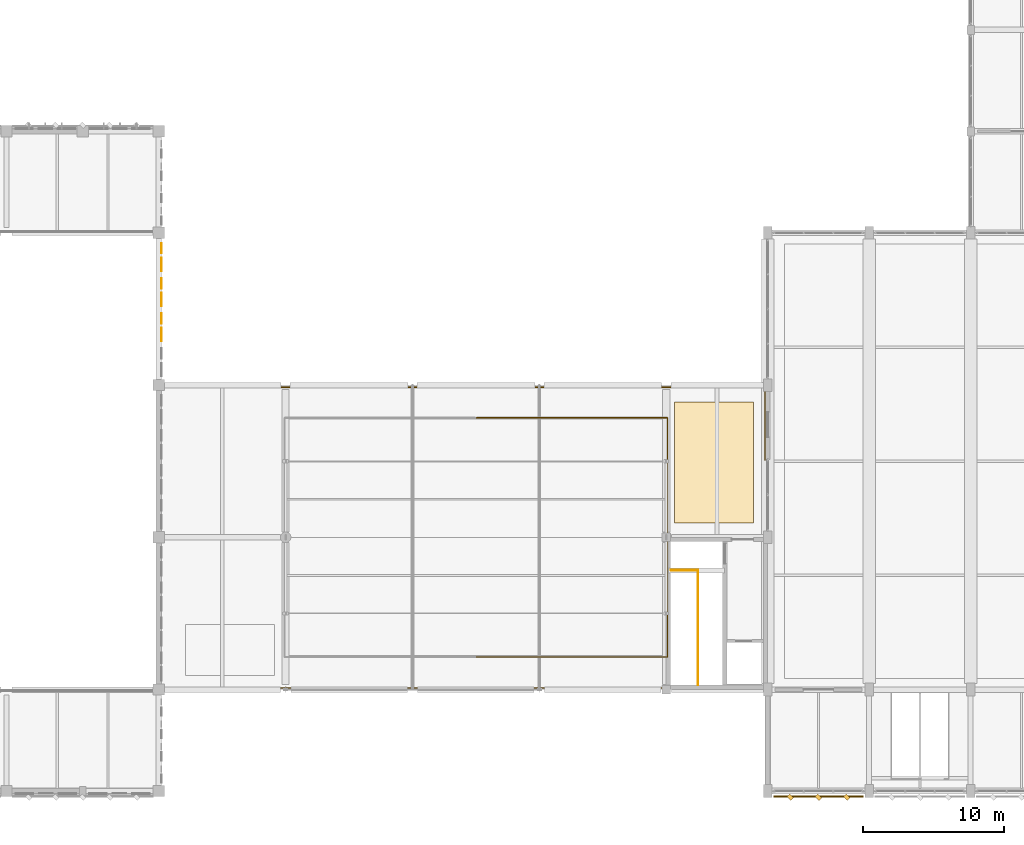
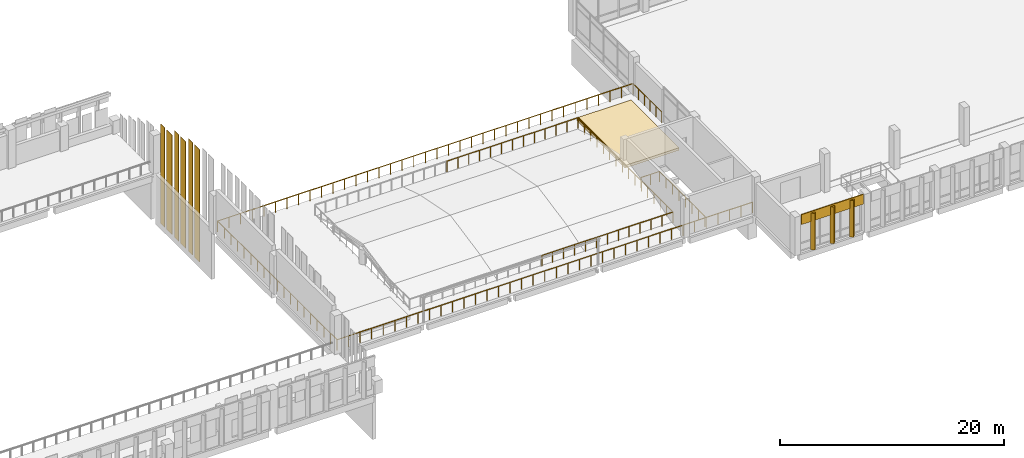
# One storey, part 146 of 158: 11 coverings, 3 railings.
"""IFC4 building model written with IfcOpenShell, lengths in metres."""

from ifc_helpers import new_model, si_unit, direction, frame, origin, origin_2d, place, context, subcontext, project, spatial, polyline, rectangle, circle, outline, extrude, material, layer, layer_set, type_object, element, save


model = new_model("IFC4")

# Units and contexts
model_context = context("Model", 3, precision=1e-05, world=origin(), true_north=direction((0.0, 1.0)))
body_context = subcontext(model_context, "Body", "Model", "MODEL_VIEW")
ifc_project = project(units=[si_unit("LENGTHUNIT", "METRE"), si_unit("AREAUNIT", "SQUARE_METRE"), si_unit("VOLUMEUNIT", "CUBIC_METRE"), si_unit("PLANEANGLEUNIT", "RADIAN"), si_unit("MASSUNIT", "GRAM", prefix="KILO")], contexts=[model_context])

# Site, building, storey
site_placement = place(None, origin())
site = spatial("IfcSite", under=ifc_project, at=site_placement, CompositionType="ELEMENT")
building_placement = place(site_placement, origin())
building = spatial("IfcBuilding", under=site, at=building_placement, Name="Lusvemor Sports Hall", CompositionType="ELEMENT")
storey_placement = place(building_placement, frame((0.0, 0.0, 10.800048828125)))
storey = spatial("IfcBuildingStorey", under=building, at=storey_placement, Name="L02", CompositionType="ELEMENT", Elevation=10.800048828125)

# Coverings
ifc_material_1 = material(Name="Emerald polychrome glazed ceramic cladding on Concrete C40/50 backing", Category="concrete")
ifc_layer_1 = layer(ifc_material_1, 0.0458984375)
ifc_layer_set_1 = layer_set([ifc_layer_1], Name="Emerald polychrome glazed ceramic cladding on Concrete C40/50 backing")
covering_type_1 = type_object("IfcCoveringType", Name="CLAD_WAVE_EMERALD", PredefinedType="CLADDING", material=ifc_layer_set_1)
covering_1_placement = place(storey_placement, frame((75.79052734375, 32.376220703125, -5.31982421875), z_axis=(0.0, 0.0, 1.0), x_axis=(1.0, 0.0, 0.0)))
element("IfcCovering", 1, at=covering_1_placement, inside=storey, type_object=covering_type_1, Name="Art Nouveau Patterned Cladding PS-V1ETY-4-1-1", PredefinedType="CLADDING", context=body_context, shape_type="SweptSolid", body=[
    extrude(rectangle(XDim=0.0458984375, YDim=0.953369140625, at=origin_2d()), origin(), (0.0, 0.0, 1.0), 12.247314453125),
])
covering_2_placement = place(storey_placement, frame((75.79052734375, 34.861083984375, -5.31982421875), z_axis=(0.0, 0.0, 1.0), x_axis=(1.0, 0.0, 0.0)))
element("IfcCovering", 2, at=covering_2_placement, inside=storey, type_object=covering_type_1, Name="Art Nouveau Patterned Cladding PS-V1ETY-4-2-1", PredefinedType="CLADDING", context=body_context, shape_type="SweptSolid", body=[
    extrude(rectangle(XDim=0.0458984375, YDim=0.953125, at=origin_2d()), origin(), (0.0, 0.0, 1.0), 11.616943359375),
])
covering_3_placement = place(storey_placement, frame((75.79052734375, 37.34619140625, -5.320068359375), z_axis=(0.0, 0.0, 1.0), x_axis=(1.0, 0.0, 0.0)))
element("IfcCovering", 3, at=covering_3_placement, inside=storey, type_object=covering_type_1, Name="Art Nouveau Patterned Cladding PS-V1ETY-4-3-1", PredefinedType="CLADDING", context=body_context, shape_type="SweptSolid", body=[
    extrude(rectangle(XDim=0.0458984375, YDim=0.953125, at=origin_2d()), origin(), (0.0, 0.0, 1.0), 10.841796875),
])
covering_4_placement = place(storey_placement, frame((122.39990234375, -0.43994140625, 0.099853515625), z_axis=(0.0, 0.0, 1.0), x_axis=(0.707106781187, 0.707106781187, 0.0)))
element("IfcCovering", 4, at=covering_4_placement, inside=storey, type_object=covering_type_1, Name="Patterned Diamond Cladding Rib 154", PredefinedType="CLADDING", context=body_context, shape_type="SweptSolid", body=[
    extrude(rectangle(XDim=0.280029296875, YDim=0.3798828125, at=origin_2d()), origin(), (0.0, 0.0, 1.0), 4.0),
])
ifc_material_2 = material(Name="Warm terracotta Art Nouveau ceramic cladding on Concrete C40/50 backing", Category="masonry")
ifc_layer_2 = layer(ifc_material_2, 0.0380859375)
ifc_layer_set_2 = layer_set([ifc_layer_2], Name="Warm terracotta Art Nouveau ceramic cladding on Concrete C40/50 backing")
covering_type_2 = type_object("IfcCoveringType", Name="CLAD_WAVE_OCHRE", PredefinedType="CLADDING", material=ifc_layer_set_2)
covering_5_placement = place(storey_placement, frame((75.78662109375, 33.538818359375, -5.31982421875), z_axis=(0.0, 0.0, 1.0), x_axis=(1.0, 0.0, 0.0)))
element("IfcCovering", 5, at=covering_5_placement, inside=storey, type_object=covering_type_2, Name="Art Nouveau Patterned Cladding PS-V1ETY-4-1-2", PredefinedType="CLADDING", context=body_context, shape_type="SweptSolid", body=[
    extrude(rectangle(XDim=0.0380859375, YDim=0.743896484375, at=origin_2d()), origin(), (0.0, 0.0, 1.0), 12.247314453125),
])
covering_6_placement = place(storey_placement, frame((75.78662109375, 36.023681640625, -5.31982421875), z_axis=(0.0, 0.0, 1.0), x_axis=(1.0, 0.0, 0.0)))
element("IfcCovering", 6, at=covering_6_placement, inside=storey, type_object=covering_type_2, Name="Art Nouveau Patterned Cladding PS-V1ETY-4-2-2", PredefinedType="CLADDING", context=body_context, shape_type="SweptSolid", body=[
    extrude(rectangle(XDim=0.0380859375, YDim=0.743896484375, at=origin_2d()), origin(), (0.0, 0.0, 1.0), 11.616943359375),
])
covering_7_placement = place(storey_placement, frame((75.78662109375, 38.5087890625, -5.320068359375), z_axis=(0.0, 0.0, 1.0), x_axis=(1.0, 0.0, 0.0)))
element("IfcCovering", 7, at=covering_7_placement, inside=storey, type_object=covering_type_2, Name="Art Nouveau Patterned Cladding PS-V1ETY-4-3-2", PredefinedType="CLADDING", context=body_context, shape_type="SweptSolid", body=[
    extrude(rectangle(XDim=0.0380859375, YDim=0.743896484375, at=origin_2d()), origin(), (0.0, 0.0, 1.0), 10.841796875),
])
covering_8_placement = place(storey_placement, frame((122.39990234375, -0.389892578125, 3.179931640625), z_axis=(0.0, 0.0, 1.0), x_axis=(1.0, 0.0, 0.0)))
element("IfcCovering", 8, at=covering_8_placement, inside=storey, type_object=covering_type_2, Name="Art Nouveau Spandrel Cornice 152", PredefinedType="CLADDING", context=body_context, shape_type="SweptSolid", body=[
    extrude(rectangle(XDim=6.3798828125, YDim=0.090087890625, at=origin_2d()), origin(), (0.0, 0.0, 1.0), 1.080078125),
])
ifc_material_3 = material(Name="Planted coastal botanical green roof garden bed")
ifc_layer_3 = layer(ifc_material_3, 0.280029296875)
ifc_layer_set_3 = layer_set([ifc_layer_3], Name="Planted coastal botanical green roof garden bed")
covering_type_3 = type_object("IfcCoveringType", Name="COV_GARDEN_BED", PredefinedType="ROOFING", material=ifc_layer_set_3)
covering_9_placement = place(storey_placement, origin())
element("IfcCovering", 9, at=covering_9_placement, inside=storey, type_object=covering_type_3, Name="Planted Coastal Roof Garden Bed 2", PredefinedType="ROOFING", context=body_context, shape_type="SweptSolid", body=[
    extrude(outline(polyline([(112.199951171875, 19.0), (117.800048828125, 19.0), (117.800048828125, 27.60009765625), (112.199951171875, 27.60009765625), (112.199951171875, 19.0)])), origin(), (0.0, 0.0, 1.0), 0.280029296875),
])
ifc_material_4 = material(Name="Warm terracotta Art Nouveau ceramic cladding on Concrete C40/50 backing", Category="masonry")
ifc_layer_4 = layer(ifc_material_4, 0.449951171875)
ifc_layer_set_4 = layer_set([ifc_layer_4], Name="Warm terracotta Art Nouveau ceramic cladding on Concrete C40/50 backing")
covering_type_4 = type_object("IfcCoveringType", Name="FIN_BRISE_CER_450", PredefinedType="MOLDING", material=ifc_layer_set_4)
for number, where, z_axis, x_axis, name in (
    (10, (120.39990234375, -0.43994140625, 0.099853515625), (0.0, 0.0, 1.0), (0.707106781187, 0.707106781187, 0.0), "Patterned Diamond Cladding Rib 153"),
    (11, (124.39990234375, -0.43994140625, 0.099853515625), (0.0, 0.0, 1.0), (0.707106781187, 0.707106781187, 0.0), "Patterned Diamond Cladding Rib 155"),
):
    element("IfcCovering", number, at=place(storey_placement, frame(where, z_axis=z_axis, x_axis=x_axis)), inside=storey, type_object=covering_type_4, Name=name, PredefinedType="MOLDING", context=body_context, shape_type="SweptSolid", body=[
        extrude(rectangle(XDim=0.280029296875, YDim=0.3798828125, at=origin_2d()), origin(), (0.0, 0.0, 1.0), 4.0),
    ])

# Railings
ifc_material_5 = material(Name="Bronze-finished wrought-steel Art Nouveau balustrade", Category="steel")
railing_type_1 = type_object("IfcRailingType", Name="RAIL_STAIR_GUARD_112", PredefinedType="GUARDRAIL", material=ifc_material_5)
railing_1_placement = place(storey_placement, frame((111.93994140625, 15.669921875, 0.0)))
element("IfcRailing", 12, at=railing_1_placement, inside=storey, type_object=railing_type_1, Name="Stairwell C7 Top Guard (L02)", PredefinedType="GUARDRAIL", context=body_context, shape_type="SweptSolid", body=[
    extrude(circle(Radius=0.02392578125, at=origin_2d()), frame((0.0, 0.0, 1.09619140625), z_axis=(1.0, 0.0, 0.0), x_axis=(0.0, 1.0, 0.0)), (0.0, 0.0, 1.0), 1.920166015625),
    extrude(circle(Radius=0.02392578125, at=origin_2d()), frame((1.920166015625, 0.0, 1.09619140625), z_axis=(0.0, -1.0, 0.0), x_axis=(1.0, 0.0, 0.0)), (0.0, 0.0, 1.0), 8.1298828125),
    extrude(circle(Radius=0.02099609375, at=origin_2d()), origin(), (0.0, 0.0, 1.0), 1.072021484375),
    extrude(circle(Radius=0.02099609375, at=origin_2d()), frame((0.9599609375, 0.0, 0.0)), (0.0, 0.0, 1.0), 1.072021484375),
    extrude(circle(Radius=0.02099609375, at=origin_2d()), frame((1.920166015625, 0.0, 0.0)), (0.0, 0.0, 1.0), 1.072021484375),
    extrude(circle(Radius=0.02099609375, at=origin_2d()), frame((1.920166015625, -1.161376953125, 0.0)), (0.0, 0.0, 1.0), 1.072021484375),
    extrude(circle(Radius=0.02099609375, at=origin_2d()), frame((1.920166015625, -2.32275390625, 0.0)), (0.0, 0.0, 1.0), 1.072021484375),
    extrude(circle(Radius=0.02099609375, at=origin_2d()), frame((1.920166015625, -3.484130859375, 0.0)), (0.0, 0.0, 1.0), 1.072021484375),
    extrude(circle(Radius=0.02099609375, at=origin_2d()), frame((1.920166015625, -4.645751953125, 0.0)), (0.0, 0.0, 1.0), 1.072021484375),
    extrude(circle(Radius=0.02099609375, at=origin_2d()), frame((1.920166015625, -5.80712890625, 0.0)), (0.0, 0.0, 1.0), 1.072021484375),
    extrude(circle(Radius=0.02099609375, at=origin_2d()), frame((1.920166015625, -6.968505859375, 0.0)), (0.0, 0.0, 1.0), 1.072021484375),
    extrude(circle(Radius=0.02099609375, at=origin_2d()), frame((1.920166015625, -8.1298828125, 0.0)), (0.0, 0.0, 1.0), 1.072021484375),
])
ifc_material_6 = material(Name="Bronze-finished wrought-steel Art Nouveau balustrade", Category="steel")
railing_type_2 = type_object("IfcRailingType", Name="RAIL_TERR_GUARD_118", PredefinedType="GUARDRAIL", material=ifc_material_6)
railing_2_placement = place(storey_placement, frame((118.60009765625, 7.300048828125, 0.0)))
element("IfcRailing", 13, at=railing_2_placement, inside=storey, type_object=railing_type_2, Name="Foyer Planted Roof Terrace Guard", PredefinedType="GUARDRAIL", context=body_context, shape_type="SweptSolid", body=[
    extrude(circle(Radius=0.02392578125, at=origin_2d()), frame((0.0, 0.0, 1.15576171875), z_axis=(-1.0, 0.0, 0.0), x_axis=(0.0, -1.0, 0.0)), (0.0, 0.0, 1.0), 42.85009765625),
    extrude(circle(Radius=0.02392578125, at=origin_2d()), frame((-42.85009765625, 0.0, 1.15576171875), z_axis=(0.0, 1.0, 0.0), x_axis=(-1.0, 0.0, 0.0)), (0.0, 0.0, 1.0), 21.349853515625),
    extrude(circle(Radius=0.02392578125, at=origin_2d()), frame((-42.85009765625, 21.349853515625, 1.15576171875), z_axis=(1.0, 0.0, 0.0), x_axis=(0.0, 1.0, 0.0)), (0.0, 0.0, 1.0), 42.85009765625),
    extrude(circle(Radius=0.02392578125, at=origin_2d()), frame((0.0, 21.349853515625, 1.15576171875), z_axis=(0.0, -1.0, 0.0), x_axis=(1.0, 0.0, 0.0)), (0.0, 0.0, 1.0), 5.14990234375),
    extrude(circle(Radius=0.02099609375, at=origin_2d()), origin(), (0.0, 0.0, 1.0), 1.1318359375),
    extrude(circle(Radius=0.02099609375, at=origin_2d()), frame((-1.190185546875, 0.0, 0.0)), (0.0, 0.0, 1.0), 1.1318359375),
    extrude(circle(Radius=0.02099609375, at=origin_2d()), frame((-2.380615234375, 0.0, 0.0)), (0.0, 0.0, 1.0), 1.1318359375),
    extrude(circle(Radius=0.02099609375, at=origin_2d()), frame((-3.57080078125, 0.0, 0.0)), (0.0, 0.0, 1.0), 1.1318359375),
    extrude(circle(Radius=0.02099609375, at=origin_2d()), frame((-4.76123046875, 0.0, 0.0)), (0.0, 0.0, 1.0), 1.1318359375),
    extrude(circle(Radius=0.02099609375, at=origin_2d()), frame((-5.951416015625, 0.0, 0.0)), (0.0, 0.0, 1.0), 1.1318359375),
    extrude(circle(Radius=0.02099609375, at=origin_2d()), frame((-7.1416015625, 0.0, 0.0)), (0.0, 0.0, 1.0), 1.1318359375),
    extrude(circle(Radius=0.02099609375, at=origin_2d()), frame((-8.33203125, 0.0, 0.0)), (0.0, 0.0, 1.0), 1.1318359375),
    extrude(circle(Radius=0.02099609375, at=origin_2d()), frame((-9.522216796875, 0.0, 0.0)), (0.0, 0.0, 1.0), 1.1318359375),
    extrude(circle(Radius=0.02099609375, at=origin_2d()), frame((-10.71240234375, 0.0, 0.0)), (0.0, 0.0, 1.0), 1.1318359375),
    extrude(circle(Radius=0.02099609375, at=origin_2d()), frame((-11.90283203125, 0.0, 0.0)), (0.0, 0.0, 1.0), 1.1318359375),
    extrude(circle(Radius=0.02099609375, at=origin_2d()), frame((-13.093017578125, 0.0, 0.0)), (0.0, 0.0, 1.0), 1.1318359375),
    extrude(circle(Radius=0.02099609375, at=origin_2d()), frame((-14.283447265625, 0.0, 0.0)), (0.0, 0.0, 1.0), 1.1318359375),
    extrude(circle(Radius=0.02099609375, at=origin_2d()), frame((-15.4736328125, 0.0, 0.0)), (0.0, 0.0, 1.0), 1.1318359375),
    extrude(circle(Radius=0.02099609375, at=origin_2d()), frame((-16.663818359375, 0.0, 0.0)), (0.0, 0.0, 1.0), 1.1318359375),
    extrude(circle(Radius=0.02099609375, at=origin_2d()), frame((-17.854248046875, 0.0, 0.0)), (0.0, 0.0, 1.0), 1.1318359375),
    extrude(circle(Radius=0.02099609375, at=origin_2d()), frame((-19.04443359375, 0.0, 0.0)), (0.0, 0.0, 1.0), 1.1318359375),
    extrude(circle(Radius=0.02099609375, at=origin_2d()), frame((-20.23486328125, 0.0, 0.0)), (0.0, 0.0, 1.0), 1.1318359375),
    extrude(circle(Radius=0.02099609375, at=origin_2d()), frame((-21.425048828125, 0.0, 0.0)), (0.0, 0.0, 1.0), 1.1318359375),
    extrude(circle(Radius=0.02099609375, at=origin_2d()), frame((-22.615234375, 0.0, 0.0)), (0.0, 0.0, 1.0), 1.1318359375),
    extrude(circle(Radius=0.02099609375, at=origin_2d()), frame((-23.8056640625, 0.0, 0.0)), (0.0, 0.0, 1.0), 1.1318359375),
    extrude(circle(Radius=0.02099609375, at=origin_2d()), frame((-24.995849609375, 0.0, 0.0)), (0.0, 0.0, 1.0), 1.1318359375),
    extrude(circle(Radius=0.02099609375, at=origin_2d()), frame((-26.186279296875, 0.0, 0.0)), (0.0, 0.0, 1.0), 1.1318359375),
    extrude(circle(Radius=0.02099609375, at=origin_2d()), frame((-27.37646484375, 0.0, 0.0)), (0.0, 0.0, 1.0), 1.1318359375),
    extrude(circle(Radius=0.02099609375, at=origin_2d()), frame((-28.566650390625, 0.0, 0.0)), (0.0, 0.0, 1.0), 1.1318359375),
    extrude(circle(Radius=0.02099609375, at=origin_2d()), frame((-29.757080078125, 0.0, 0.0)), (0.0, 0.0, 1.0), 1.1318359375),
    extrude(circle(Radius=0.02099609375, at=origin_2d()), frame((-30.947265625, 0.0, 0.0)), (0.0, 0.0, 1.0), 1.1318359375),
    extrude(circle(Radius=0.02099609375, at=origin_2d()), frame((-32.1376953125, 0.0, 0.0)), (0.0, 0.0, 1.0), 1.1318359375),
    extrude(circle(Radius=0.02099609375, at=origin_2d()), frame((-33.327880859375, 0.0, 0.0)), (0.0, 0.0, 1.0), 1.1318359375),
    extrude(circle(Radius=0.02099609375, at=origin_2d()), frame((-34.51806640625, 0.0, 0.0)), (0.0, 0.0, 1.0), 1.1318359375),
    extrude(circle(Radius=0.02099609375, at=origin_2d()), frame((-35.70849609375, 0.0, 0.0)), (0.0, 0.0, 1.0), 1.1318359375),
    extrude(circle(Radius=0.02099609375, at=origin_2d()), frame((-36.898681640625, 0.0, 0.0)), (0.0, 0.0, 1.0), 1.1318359375),
    extrude(circle(Radius=0.02099609375, at=origin_2d()), frame((-38.0888671875, 0.0, 0.0)), (0.0, 0.0, 1.0), 1.1318359375),
    extrude(circle(Radius=0.02099609375, at=origin_2d()), frame((-39.279296875, 0.0, 0.0)), (0.0, 0.0, 1.0), 1.1318359375),
    extrude(circle(Radius=0.02099609375, at=origin_2d()), frame((-40.469482421875, 0.0, 0.0)), (0.0, 0.0, 1.0), 1.1318359375),
    extrude(circle(Radius=0.02099609375, at=origin_2d()), frame((-41.659912109375, 0.0, 0.0)), (0.0, 0.0, 1.0), 1.1318359375),
    extrude(circle(Radius=0.02099609375, at=origin_2d()), frame((-42.85009765625, 0.0, 0.0)), (0.0, 0.0, 1.0), 1.1318359375),
    extrude(circle(Radius=0.02099609375, at=origin_2d()), frame((-42.85009765625, 1.18603515625, 0.0)), (0.0, 0.0, 1.0), 1.1318359375),
    extrude(circle(Radius=0.02099609375, at=origin_2d()), frame((-42.85009765625, 2.372314453125, 0.0)), (0.0, 0.0, 1.0), 1.1318359375),
    extrude(circle(Radius=0.02099609375, at=origin_2d()), frame((-42.85009765625, 3.558349609375, 0.0)), (0.0, 0.0, 1.0), 1.1318359375),
    extrude(circle(Radius=0.02099609375, at=origin_2d()), frame((-42.85009765625, 4.744384765625, 0.0)), (0.0, 0.0, 1.0), 1.1318359375),
    extrude(circle(Radius=0.02099609375, at=origin_2d()), frame((-42.85009765625, 5.930419921875, 0.0)), (0.0, 0.0, 1.0), 1.1318359375),
    extrude(circle(Radius=0.02099609375, at=origin_2d()), frame((-42.85009765625, 7.11669921875, 0.0)), (0.0, 0.0, 1.0), 1.1318359375),
    extrude(circle(Radius=0.02099609375, at=origin_2d()), frame((-42.85009765625, 8.302734375, 0.0)), (0.0, 0.0, 1.0), 1.1318359375),
    extrude(circle(Radius=0.02099609375, at=origin_2d()), frame((-42.85009765625, 9.48876953125, 0.0)), (0.0, 0.0, 1.0), 1.1318359375),
    extrude(circle(Radius=0.02099609375, at=origin_2d()), frame((-42.85009765625, 10.6748046875, 0.0)), (0.0, 0.0, 1.0), 1.1318359375),
    extrude(circle(Radius=0.02099609375, at=origin_2d()), frame((-42.85009765625, 11.861083984375, 0.0)), (0.0, 0.0, 1.0), 1.1318359375),
    extrude(circle(Radius=0.02099609375, at=origin_2d()), frame((-42.85009765625, 13.047119140625, 0.0)), (0.0, 0.0, 1.0), 1.1318359375),
    extrude(circle(Radius=0.02099609375, at=origin_2d()), frame((-42.85009765625, 14.233154296875, 0.0)), (0.0, 0.0, 1.0), 1.1318359375),
    extrude(circle(Radius=0.02099609375, at=origin_2d()), frame((-42.85009765625, 15.41943359375, 0.0)), (0.0, 0.0, 1.0), 1.1318359375),
    extrude(circle(Radius=0.02099609375, at=origin_2d()), frame((-42.85009765625, 16.60546875, 0.0)), (0.0, 0.0, 1.0), 1.1318359375),
    extrude(circle(Radius=0.02099609375, at=origin_2d()), frame((-42.85009765625, 17.79150390625, 0.0)), (0.0, 0.0, 1.0), 1.1318359375),
    extrude(circle(Radius=0.02099609375, at=origin_2d()), frame((-42.85009765625, 18.9775390625, 0.0)), (0.0, 0.0, 1.0), 1.1318359375),
    extrude(circle(Radius=0.02099609375, at=origin_2d()), frame((-42.85009765625, 20.163818359375, 0.0)), (0.0, 0.0, 1.0), 1.1318359375),
    extrude(circle(Radius=0.02099609375, at=origin_2d()), frame((-42.85009765625, 21.349853515625, 0.0)), (0.0, 0.0, 1.0), 1.1318359375),
    extrude(circle(Radius=0.02099609375, at=origin_2d()), frame((-41.659912109375, 21.349853515625, 0.0)), (0.0, 0.0, 1.0), 1.1318359375),
    extrude(circle(Radius=0.02099609375, at=origin_2d()), frame((-40.469482421875, 21.349853515625, 0.0)), (0.0, 0.0, 1.0), 1.1318359375),
    extrude(circle(Radius=0.02099609375, at=origin_2d()), frame((-39.279296875, 21.349853515625, 0.0)), (0.0, 0.0, 1.0), 1.1318359375),
    extrude(circle(Radius=0.02099609375, at=origin_2d()), frame((-38.0888671875, 21.349853515625, 0.0)), (0.0, 0.0, 1.0), 1.1318359375),
    extrude(circle(Radius=0.02099609375, at=origin_2d()), frame((-36.898681640625, 21.349853515625, 0.0)), (0.0, 0.0, 1.0), 1.1318359375),
    extrude(circle(Radius=0.02099609375, at=origin_2d()), frame((-35.70849609375, 21.349853515625, 0.0)), (0.0, 0.0, 1.0), 1.1318359375),
    extrude(circle(Radius=0.02099609375, at=origin_2d()), frame((-34.51806640625, 21.349853515625, 0.0)), (0.0, 0.0, 1.0), 1.1318359375),
    extrude(circle(Radius=0.02099609375, at=origin_2d()), frame((-33.327880859375, 21.349853515625, 0.0)), (0.0, 0.0, 1.0), 1.1318359375),
    extrude(circle(Radius=0.02099609375, at=origin_2d()), frame((-32.1376953125, 21.349853515625, 0.0)), (0.0, 0.0, 1.0), 1.1318359375),
    extrude(circle(Radius=0.02099609375, at=origin_2d()), frame((-30.947265625, 21.349853515625, 0.0)), (0.0, 0.0, 1.0), 1.1318359375),
    extrude(circle(Radius=0.02099609375, at=origin_2d()), frame((-29.757080078125, 21.349853515625, 0.0)), (0.0, 0.0, 1.0), 1.1318359375),
    extrude(circle(Radius=0.02099609375, at=origin_2d()), frame((-28.566650390625, 21.349853515625, 0.0)), (0.0, 0.0, 1.0), 1.1318359375),
    extrude(circle(Radius=0.02099609375, at=origin_2d()), frame((-27.37646484375, 21.349853515625, 0.0)), (0.0, 0.0, 1.0), 1.1318359375),
    extrude(circle(Radius=0.02099609375, at=origin_2d()), frame((-26.186279296875, 21.349853515625, 0.0)), (0.0, 0.0, 1.0), 1.1318359375),
    extrude(circle(Radius=0.02099609375, at=origin_2d()), frame((-24.995849609375, 21.349853515625, 0.0)), (0.0, 0.0, 1.0), 1.1318359375),
    extrude(circle(Radius=0.02099609375, at=origin_2d()), frame((-23.8056640625, 21.349853515625, 0.0)), (0.0, 0.0, 1.0), 1.1318359375),
    extrude(circle(Radius=0.02099609375, at=origin_2d()), frame((-22.615234375, 21.349853515625, 0.0)), (0.0, 0.0, 1.0), 1.1318359375),
    extrude(circle(Radius=0.02099609375, at=origin_2d()), frame((-21.425048828125, 21.349853515625, 0.0)), (0.0, 0.0, 1.0), 1.1318359375),
    extrude(circle(Radius=0.02099609375, at=origin_2d()), frame((-20.23486328125, 21.349853515625, 0.0)), (0.0, 0.0, 1.0), 1.1318359375),
    extrude(circle(Radius=0.02099609375, at=origin_2d()), frame((-19.04443359375, 21.349853515625, 0.0)), (0.0, 0.0, 1.0), 1.1318359375),
    extrude(circle(Radius=0.02099609375, at=origin_2d()), frame((-17.854248046875, 21.349853515625, 0.0)), (0.0, 0.0, 1.0), 1.1318359375),
    extrude(circle(Radius=0.02099609375, at=origin_2d()), frame((-16.663818359375, 21.349853515625, 0.0)), (0.0, 0.0, 1.0), 1.1318359375),
    extrude(circle(Radius=0.02099609375, at=origin_2d()), frame((-15.4736328125, 21.349853515625, 0.0)), (0.0, 0.0, 1.0), 1.1318359375),
    extrude(circle(Radius=0.02099609375, at=origin_2d()), frame((-14.283447265625, 21.349853515625, 0.0)), (0.0, 0.0, 1.0), 1.1318359375),
    extrude(circle(Radius=0.02099609375, at=origin_2d()), frame((-13.093017578125, 21.349853515625, 0.0)), (0.0, 0.0, 1.0), 1.1318359375),
    extrude(circle(Radius=0.02099609375, at=origin_2d()), frame((-11.90283203125, 21.349853515625, 0.0)), (0.0, 0.0, 1.0), 1.1318359375),
    extrude(circle(Radius=0.02099609375, at=origin_2d()), frame((-10.71240234375, 21.349853515625, 0.0)), (0.0, 0.0, 1.0), 1.1318359375),
    extrude(circle(Radius=0.02099609375, at=origin_2d()), frame((-9.522216796875, 21.349853515625, 0.0)), (0.0, 0.0, 1.0), 1.1318359375),
    extrude(circle(Radius=0.02099609375, at=origin_2d()), frame((-8.33203125, 21.349853515625, 0.0)), (0.0, 0.0, 1.0), 1.1318359375),
    extrude(circle(Radius=0.02099609375, at=origin_2d()), frame((-7.1416015625, 21.349853515625, 0.0)), (0.0, 0.0, 1.0), 1.1318359375),
    extrude(circle(Radius=0.02099609375, at=origin_2d()), frame((-5.951416015625, 21.349853515625, 0.0)), (0.0, 0.0, 1.0), 1.1318359375),
    extrude(circle(Radius=0.02099609375, at=origin_2d()), frame((-4.76123046875, 21.349853515625, 0.0)), (0.0, 0.0, 1.0), 1.1318359375),
    extrude(circle(Radius=0.02099609375, at=origin_2d()), frame((-3.57080078125, 21.349853515625, 0.0)), (0.0, 0.0, 1.0), 1.1318359375),
    extrude(circle(Radius=0.02099609375, at=origin_2d()), frame((-2.380615234375, 21.349853515625, 0.0)), (0.0, 0.0, 1.0), 1.1318359375),
    extrude(circle(Radius=0.02099609375, at=origin_2d()), frame((-1.190185546875, 21.349853515625, 0.0)), (0.0, 0.0, 1.0), 1.1318359375),
    extrude(circle(Radius=0.02099609375, at=origin_2d()), frame((0.0, 21.349853515625, 0.0)), (0.0, 0.0, 1.0), 1.1318359375),
    extrude(circle(Radius=0.02099609375, at=origin_2d()), frame((0.0, 20.31982421875, 0.0)), (0.0, 0.0, 1.0), 1.1318359375),
    extrude(circle(Radius=0.02099609375, at=origin_2d()), frame((0.0, 19.289794921875, 0.0)), (0.0, 0.0, 1.0), 1.1318359375),
    extrude(circle(Radius=0.02099609375, at=origin_2d()), frame((0.0, 18.260009765625, 0.0)), (0.0, 0.0, 1.0), 1.1318359375),
    extrude(circle(Radius=0.02099609375, at=origin_2d()), frame((0.0, 17.22998046875, 0.0)), (0.0, 0.0, 1.0), 1.1318359375),
    extrude(circle(Radius=0.02099609375, at=origin_2d()), frame((0.0, 16.199951171875, 0.0)), (0.0, 0.0, 1.0), 1.1318359375),
])
railing_3_placement = place(storey_placement, frame((98.14990234375, 9.52001953125, 0.0)))
element("IfcRailing", 14, at=railing_3_placement, inside=storey, type_object=railing_type_2, Name="Foyer Lantern Opening Guard East", PredefinedType="GUARDRAIL", context=body_context, shape_type="SweptSolid", body=[
    extrude(circle(Radius=0.02392578125, at=origin_2d()), frame((0.0, 0.0, 1.15576171875), z_axis=(1.0, 0.0, 0.0), x_axis=(0.0, 1.0, 0.0)), (0.0, 0.0, 1.0), 13.530029296875),
    extrude(circle(Radius=0.02392578125, at=origin_2d()), frame((13.530029296875, 0.0, 1.15576171875), z_axis=(0.0, 1.0, 0.0), x_axis=(-1.0, 0.0, 0.0)), (0.0, 0.0, 1.0), 16.9599609375),
    extrude(circle(Radius=0.02392578125, at=origin_2d()), frame((13.530029296875, 16.9599609375, 1.15576171875), z_axis=(-1.0, 0.0, 0.0), x_axis=(0.0, -1.0, 0.0)), (0.0, 0.0, 1.0), 13.530029296875),
    extrude(circle(Radius=0.02099609375, at=origin_2d()), origin(), (0.0, 0.0, 1.0), 1.1318359375),
    extrude(circle(Radius=0.02099609375, at=origin_2d()), frame((1.12744140625, 0.0, 0.0)), (0.0, 0.0, 1.0), 1.1318359375),
    extrude(circle(Radius=0.02099609375, at=origin_2d()), frame((2.2548828125, 0.0, 0.0)), (0.0, 0.0, 1.0), 1.1318359375),
    extrude(circle(Radius=0.02099609375, at=origin_2d()), frame((3.382568359375, 0.0, 0.0)), (0.0, 0.0, 1.0), 1.1318359375),
    extrude(circle(Radius=0.02099609375, at=origin_2d()), frame((4.510009765625, 0.0, 0.0)), (0.0, 0.0, 1.0), 1.1318359375),
    extrude(circle(Radius=0.02099609375, at=origin_2d()), frame((5.637451171875, 0.0, 0.0)), (0.0, 0.0, 1.0), 1.1318359375),
    extrude(circle(Radius=0.02099609375, at=origin_2d()), frame((6.76513671875, 0.0, 0.0)), (0.0, 0.0, 1.0), 1.1318359375),
    extrude(circle(Radius=0.02099609375, at=origin_2d()), frame((7.892578125, 0.0, 0.0)), (0.0, 0.0, 1.0), 1.1318359375),
    extrude(circle(Radius=0.02099609375, at=origin_2d()), frame((9.02001953125, 0.0, 0.0)), (0.0, 0.0, 1.0), 1.1318359375),
    extrude(circle(Radius=0.02099609375, at=origin_2d()), frame((10.1474609375, 0.0, 0.0)), (0.0, 0.0, 1.0), 1.1318359375),
    extrude(circle(Radius=0.02099609375, at=origin_2d()), frame((11.27490234375, 0.0, 0.0)), (0.0, 0.0, 1.0), 1.1318359375),
    extrude(circle(Radius=0.02099609375, at=origin_2d()), frame((12.402587890625, 0.0, 0.0)), (0.0, 0.0, 1.0), 1.1318359375),
    extrude(circle(Radius=0.02099609375, at=origin_2d()), frame((13.530029296875, 0.0, 0.0)), (0.0, 0.0, 1.0), 1.1318359375),
    extrude(circle(Radius=0.02099609375, at=origin_2d()), frame((13.530029296875, 1.130615234375, 0.0)), (0.0, 0.0, 1.0), 1.1318359375),
    extrude(circle(Radius=0.02099609375, at=origin_2d()), frame((13.530029296875, 2.26123046875, 0.0)), (0.0, 0.0, 1.0), 1.1318359375),
    extrude(circle(Radius=0.02099609375, at=origin_2d()), frame((13.530029296875, 3.39208984375, 0.0)), (0.0, 0.0, 1.0), 1.1318359375),
    extrude(circle(Radius=0.02099609375, at=origin_2d()), frame((13.530029296875, 4.522705078125, 0.0)), (0.0, 0.0, 1.0), 1.1318359375),
    extrude(circle(Radius=0.02099609375, at=origin_2d()), frame((13.530029296875, 5.6533203125, 0.0)), (0.0, 0.0, 1.0), 1.1318359375),
    extrude(circle(Radius=0.02099609375, at=origin_2d()), frame((13.530029296875, 6.783935546875, 0.0)), (0.0, 0.0, 1.0), 1.1318359375),
    extrude(circle(Radius=0.02099609375, at=origin_2d()), frame((13.530029296875, 7.91455078125, 0.0)), (0.0, 0.0, 1.0), 1.1318359375),
    extrude(circle(Radius=0.02099609375, at=origin_2d()), frame((13.530029296875, 9.04541015625, 0.0)), (0.0, 0.0, 1.0), 1.1318359375),
    extrude(circle(Radius=0.02099609375, at=origin_2d()), frame((13.530029296875, 10.176025390625, 0.0)), (0.0, 0.0, 1.0), 1.1318359375),
    extrude(circle(Radius=0.02099609375, at=origin_2d()), frame((13.530029296875, 11.306640625, 0.0)), (0.0, 0.0, 1.0), 1.1318359375),
    extrude(circle(Radius=0.02099609375, at=origin_2d()), frame((13.530029296875, 12.437255859375, 0.0)), (0.0, 0.0, 1.0), 1.1318359375),
    extrude(circle(Radius=0.02099609375, at=origin_2d()), frame((13.530029296875, 13.56787109375, 0.0)), (0.0, 0.0, 1.0), 1.1318359375),
    extrude(circle(Radius=0.02099609375, at=origin_2d()), frame((13.530029296875, 14.69873046875, 0.0)), (0.0, 0.0, 1.0), 1.1318359375),
    extrude(circle(Radius=0.02099609375, at=origin_2d()), frame((13.530029296875, 15.829345703125, 0.0)), (0.0, 0.0, 1.0), 1.1318359375),
    extrude(circle(Radius=0.02099609375, at=origin_2d()), frame((13.530029296875, 16.9599609375, 0.0)), (0.0, 0.0, 1.0), 1.1318359375),
    extrude(circle(Radius=0.02099609375, at=origin_2d()), frame((12.402587890625, 16.9599609375, 0.0)), (0.0, 0.0, 1.0), 1.1318359375),
    extrude(circle(Radius=0.02099609375, at=origin_2d()), frame((11.27490234375, 16.9599609375, 0.0)), (0.0, 0.0, 1.0), 1.1318359375),
    extrude(circle(Radius=0.02099609375, at=origin_2d()), frame((10.1474609375, 16.9599609375, 0.0)), (0.0, 0.0, 1.0), 1.1318359375),
    extrude(circle(Radius=0.02099609375, at=origin_2d()), frame((9.02001953125, 16.9599609375, 0.0)), (0.0, 0.0, 1.0), 1.1318359375),
    extrude(circle(Radius=0.02099609375, at=origin_2d()), frame((7.892578125, 16.9599609375, 0.0)), (0.0, 0.0, 1.0), 1.1318359375),
    extrude(circle(Radius=0.02099609375, at=origin_2d()), frame((6.76513671875, 16.9599609375, 0.0)), (0.0, 0.0, 1.0), 1.1318359375),
    extrude(circle(Radius=0.02099609375, at=origin_2d()), frame((5.637451171875, 16.9599609375, 0.0)), (0.0, 0.0, 1.0), 1.1318359375),
    extrude(circle(Radius=0.02099609375, at=origin_2d()), frame((4.510009765625, 16.9599609375, 0.0)), (0.0, 0.0, 1.0), 1.1318359375),
    extrude(circle(Radius=0.02099609375, at=origin_2d()), frame((3.382568359375, 16.9599609375, 0.0)), (0.0, 0.0, 1.0), 1.1318359375),
    extrude(circle(Radius=0.02099609375, at=origin_2d()), frame((2.2548828125, 16.9599609375, 0.0)), (0.0, 0.0, 1.0), 1.1318359375),
    extrude(circle(Radius=0.02099609375, at=origin_2d()), frame((1.12744140625, 16.9599609375, 0.0)), (0.0, 0.0, 1.0), 1.1318359375),
    extrude(circle(Radius=0.02099609375, at=origin_2d()), frame((0.0, 16.9599609375, 0.0)), (0.0, 0.0, 1.0), 1.1318359375),
])

save(model, "model.ifc")
